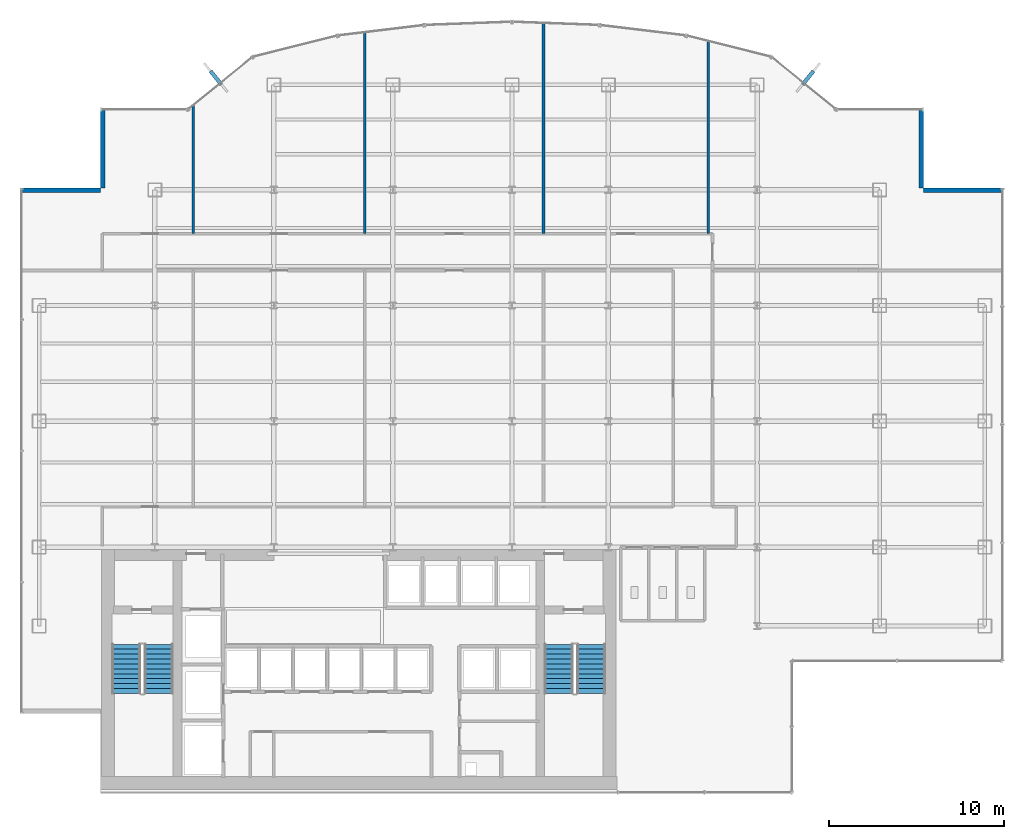
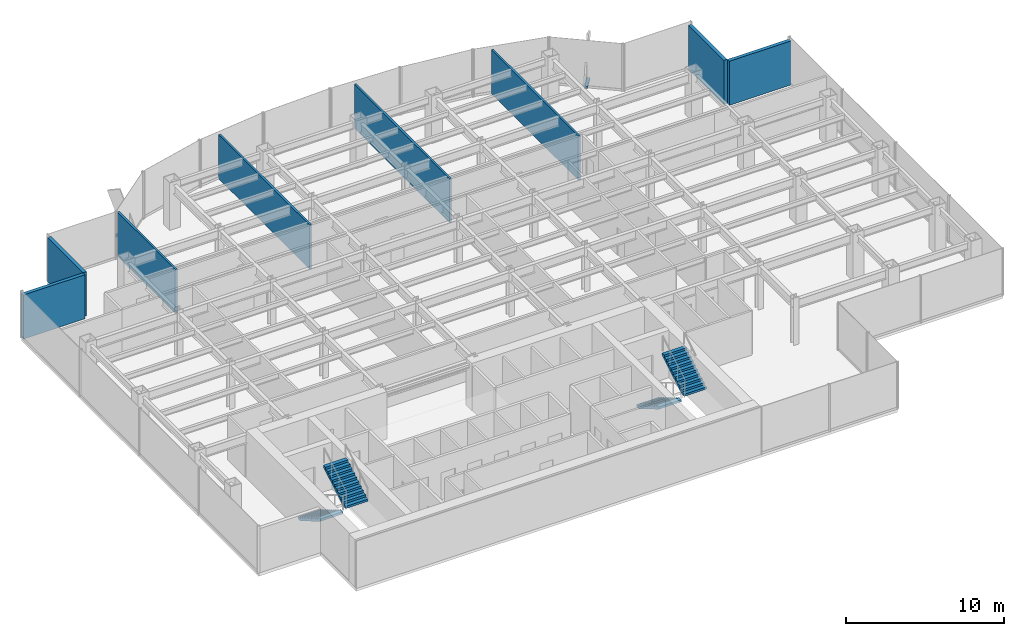
# One storey, part 23 of 26: 8 walls, 4 stair flights, 2 discrete accessories, 2 elements without a shape of their own.
"""IFC4 building model written with IfcOpenShell, lengths in metres."""

import ifcopenshell
import ifcopenshell.guid

model = None  # the IFC model being written
_history = None  # IfcOwnerHistory: only IFC2X3 demands one
_inside = {}  # id of a spatial element -> (the spatial element, [elements in it])
_under = {}  # id of a project, library or spatial element -> (it, [spatial elements below it])
_declared = {}  # id of a project -> (the project, [libraries it declares])
_typed = {}  # id of a type object -> (the type object, [elements of that type])
_made_of = {}  # id of a material, layer set ... -> (it, [elements and type objects made of it])


def new_model(schema):
    """Start an empty IFC model of exactly this schema.

    Asked for "IFC4X3", IfcOpenShell would pick the latest addendum, in which some entities
    have other attributes; the version numbers below select the first issue.
    IFC2X3 requires an IfcOwnerHistory on every rooted entity: one is made here for all.
    """
    global model, _history
    if schema == "IFC4X3":
        model = ifcopenshell.file(schema_version=(4, 3, 0, 0))
    else:
        model = ifcopenshell.file(schema=schema)
    _inside.clear()
    _under.clear()
    _declared.clear()
    _typed.clear()
    _made_of.clear()
    _history = None
    if model.schema == "IFC2X3":
        org = make("IfcOrganization", Name="unknown")
        user = make(
            "IfcPersonAndOrganization",
            ThePerson=make("IfcPerson", FamilyName="unknown"),
            TheOrganization=org,
        )
        app = make(
            "IfcApplication",
            ApplicationDeveloper=org,
            Version="unknown",
            ApplicationFullName="unknown",
            ApplicationIdentifier="unknown",
        )
        _history = make(
            "IfcOwnerHistory",
            OwningUser=user,
            OwningApplication=app,
            ChangeAction="ADDED",
            CreationDate=0,
        )
    return model


def make(cls, **values):
    """One entity of the class cls with the attributes given. An attribute that is None is left unset."""
    return model.create_entity(
        cls, **{name: value for name, value in values.items() if value is not None}
    )


def rooted(cls, **values):
    """An entity with a GlobalId (a new one), such as an element, a storey or a relation."""
    return make(cls, GlobalId=ifcopenshell.guid.new(), OwnerHistory=_history, **values)


def si_unit(unit_type, name, prefix=None):
    """IfcSIUnit, for example si_unit("LENGTHUNIT", "METRE", prefix="MILLI")."""
    return make("IfcSIUnit", UnitType=unit_type, Prefix=prefix, Name=name)


def derived_unit(unit_type, elements):
    """IfcDerivedUnit: a product of units, each with its exponent."""
    return make(
        "IfcDerivedUnit",
        Elements=[
            make("IfcDerivedUnitElement", Unit=unit, Exponent=power)
            for unit, power in elements
        ],
        UnitType=unit_type,
    )


def assignment(units):
    """IfcUnitAssignment: the units of a project."""
    return None if units is None else make("IfcUnitAssignment", Units=units)


def point(xyz):
    """IfcCartesianPoint."""
    return None if xyz is None else make("IfcCartesianPoint", Coordinates=xyz)


def direction(xyz):
    """IfcDirection."""
    return None if xyz is None else make("IfcDirection", DirectionRatios=xyz)


def frame(location, z_axis=None, x_axis=None):
    """IfcAxis2Placement3D, a coordinate frame: its origin and axes. An axis left out is left unset."""
    return make(
        "IfcAxis2Placement3D",
        Location=point(location),
        Axis=direction(z_axis),
        RefDirection=direction(x_axis),
    )


def frame_2d(location, x_axis=None):
    """IfcAxis2Placement2D, a coordinate frame in the plane: its origin and x axis."""
    return make(
        "IfcAxis2Placement2D", Location=point(location), RefDirection=direction(x_axis)
    )


def origin():
    """The frame at (0, 0, 0) with its axes left unset."""
    return frame((0.0, 0.0, 0.0))


def origin_2d():
    """The frame at (0, 0) in the plane with its x axis left unset."""
    return frame_2d((0.0, 0.0))


def place(relative_to, where):
    """IfcLocalPlacement: puts the frame where relative to a parent placement (None: the world)."""
    return make(
        "IfcLocalPlacement", PlacementRelTo=relative_to, RelativePlacement=where
    )


def context(
    kind, dimensions, precision=None, world=None, true_north=None, identifier=None
):
    """IfcGeometricRepresentationContext, for example the 3D "Model" context."""
    return make(
        "IfcGeometricRepresentationContext",
        ContextIdentifier=identifier,
        ContextType=kind,
        CoordinateSpaceDimension=dimensions,
        Precision=precision,
        WorldCoordinateSystem=world,
        TrueNorth=true_north,
    )


def subcontext(parent, identifier, kind, view, scale=None):
    """IfcGeometricRepresentationSubContext, for example "Body" below "Model"."""
    return make(
        "IfcGeometricRepresentationSubContext",
        ContextIdentifier=identifier,
        ContextType=kind,
        ParentContext=parent,
        TargetScale=scale,
        TargetView=view,
    )


def project(units=None, contexts=None):
    """IfcProject with its units and contexts."""
    return rooted(
        "IfcProject",
        Name="project",
        RepresentationContexts=contexts,
        UnitsInContext=assignment(units),
    )


def spatial(cls, under=None, at=None, **own):
    """A site, building, storey or space (cls), placed at a placement, below another one or the project."""
    s = rooted(cls, ObjectPlacement=at, **own)
    if under is not None:
        _under.setdefault(under.id(), (under, []))[1].append(s)
    return s


def polyline(points):
    """IfcPolyline through the points."""
    return make("IfcPolyline", Points=[point(p) for p in points])


def profile(cls, at=None, kind="AREA", **sizes):
    """A parametric profile (cls). Its sizes go by their IFC names, for example OverallWidth=200.0."""
    return make(cls, ProfileType=kind, Position=at, **sizes)


def rectangle(**sizes):
    """IfcRectangleProfileDef."""
    return profile("IfcRectangleProfileDef", **sizes)


def outline(outer, holes=None, kind="AREA"):
    """IfcArbitraryClosedProfileDef: a profile drawn as a closed curve; with holes, ...WithVoids."""
    if holes is None:
        return make("IfcArbitraryClosedProfileDef", ProfileType=kind, OuterCurve=outer)
    return make(
        "IfcArbitraryProfileDefWithVoids",
        ProfileType=kind,
        OuterCurve=outer,
        InnerCurves=holes,
    )


def extrude(swept, where, along, depth):
    """IfcExtrudedAreaSolid: the profile swept, set in the frame where, extruded along a direction by depth."""
    return make(
        "IfcExtrudedAreaSolid",
        SweptArea=swept,
        Position=where,
        ExtrudedDirection=direction(along),
        Depth=depth,
    )


def shape(context_of_items, identifier, shape_type, items):
    """IfcShapeRepresentation: the items that make up one representation, for example the "Body"."""
    return make(
        "IfcShapeRepresentation",
        ContextOfItems=context_of_items,
        RepresentationIdentifier=identifier,
        RepresentationType=shape_type,
        Items=items,
    )


def source(mapping_origin, context_of_items, identifier, shape_type, items):
    """IfcRepresentationMap: a shape defined once, which mapped items show again and again."""
    return make(
        "IfcRepresentationMap",
        MappingOrigin=mapping_origin,
        MappedRepresentation=shape(context_of_items, identifier, shape_type, items),
    )


def transform(
    local_origin,
    x_axis=None,
    y_axis=None,
    z_axis=None,
    scale=None,
    scale2=None,
    scale3=None,
    uniform=True,
):
    """IfcCartesianTransformationOperator3D, or its non-uniform kind. x_axis, y_axis, z_axis: its Axis1, 2, 3."""
    if uniform:
        return make(
            "IfcCartesianTransformationOperator3D",
            Axis1=direction(x_axis),
            Axis2=direction(y_axis),
            LocalOrigin=point(local_origin),
            Scale=scale,
            Axis3=direction(z_axis),
        )
    return make(
        "IfcCartesianTransformationOperator3DnonUniform",
        Axis1=direction(x_axis),
        Axis2=direction(y_axis),
        LocalOrigin=point(local_origin),
        Scale=scale,
        Axis3=direction(z_axis),
        Scale2=scale2,
        Scale3=scale3,
    )


def mapped(mapping_source, mapping_target):
    """IfcMappedItem: shows the shape of a source again, moved by a transform."""
    return make(
        "IfcMappedItem", MappingSource=mapping_source, MappingTarget=mapping_target
    )


def material(Name=None, Category=None):
    """IfcMaterial."""
    return make("IfcMaterial", Name=Name, Category=Category)


def layer(
    of_material, thickness, ventilated=None, Name=None, Category=None, Priority=None
):
    """IfcMaterialLayer: one layer of a wall or slab, of a material (None: an air gap)."""
    return make(
        "IfcMaterialLayer",
        Material=of_material,
        LayerThickness=thickness,
        IsVentilated=ventilated,
        Name=Name,
        Category=Category,
        Priority=Priority,
    )


def layer_set(layers, Name=None):
    """IfcMaterialLayerSet."""
    return make("IfcMaterialLayerSet", MaterialLayers=layers, LayerSetName=Name)


def made_of(thing, what):
    """Note that an element or type object is made of a material, layer set ...; save() writes the relation."""
    if what is not None:
        _made_of.setdefault(what.id(), (what, []))[1].append(thing)
    return thing


def type_object(cls, material=None, **own):
    """A type object (cls), such as IfcWallType, which elements share."""
    return made_of(rooted(cls, **own), material)


def element(
    cls,
    number,
    at=None,
    inside=None,
    cuts=None,
    type_object=None,
    material=None,
    context=None,
    identifier="Body",
    shape_type=None,
    held_by="IfcProductDefinitionShape",
    body=None,
    shapes=None,
    **own,
):
    """One element of the class cls, such as IfcWall. Its Tag is "e" and its number.

    at: its placement. inside: the storey or other place that contains it. cuts: it is an
    opening in that element (IfcRelVoidsElement). A single representation is given by context,
    identifier, shape_type and body (its items); several are given by shapes. held_by: the class
    of the entity that holds the representations. save() writes the other relations.
    """
    e = rooted(cls, Tag="e%d" % number, ObjectPlacement=at, **own)
    if body is not None:
        shapes = [shape(context, identifier, shape_type, body)]
    if shapes is not None:
        e.Representation = make(held_by, Representations=shapes)
    if inside is not None:
        _inside.setdefault(inside.id(), (inside, []))[1].append(e)
    if cuts is not None:
        rooted(
            "IfcRelVoidsElement", RelatingBuildingElement=cuts, RelatedOpeningElement=e
        )
    if type_object is not None:
        _typed.setdefault(type_object.id(), (type_object, []))[1].append(e)
    return made_of(e, material)


def aggregate(whole, parts):
    """IfcRelAggregates: a whole, such as a stair, and the parts it consists of."""
    return rooted("IfcRelAggregates", RelatingObject=whole, RelatedObjects=parts)


def save(model, path):
    """Write the relations noted so far, then the file.

    IfcRelAggregates (storeys below a building ...), IfcRelContainedInSpatialStructure (elements
    in a storey), IfcRelDefinesByType, IfcRelAssociatesMaterial and IfcRelDeclares: one each for
    every whole, place, type object, material and project.
    """
    for whole, parts in _under.values():
        aggregate(whole, parts)
    for where, things in _inside.values():
        rooted(
            "IfcRelContainedInSpatialStructure",
            RelatedElements=things,
            RelatingStructure=where,
        )
    for kind, things in _typed.values():
        rooted("IfcRelDefinesByType", RelatedObjects=things, RelatingType=kind)
    for what, things in _made_of.values():
        rooted("IfcRelAssociatesMaterial", RelatedObjects=things, RelatingMaterial=what)
    for by, libraries in _declared.values():
        rooted("IfcRelDeclares", RelatingContext=by, RelatedDefinitions=libraries)
    model.write(path)


model = new_model("IFC4")

# Units and contexts
model_context = context("Model", 3, precision=1e-05, world=origin(), true_north=direction((0.0, 1.0)))
body_context = subcontext(model_context, "Body", "Model", "MODEL_VIEW")
ifc_project = project(units=[si_unit("LENGTHUNIT", "METRE"), si_unit("AREAUNIT", "SQUARE_METRE"), si_unit("VOLUMEUNIT", "CUBIC_METRE"), si_unit("PLANEANGLEUNIT", "RADIAN"), si_unit("MASSUNIT", "GRAM", prefix="KILO"), derived_unit("THERMALTRANSMITTANCEUNIT", [(si_unit("POWERUNIT", "WATT"), 1), (si_unit("LENGTHUNIT", "METRE"), -2), (si_unit("THERMODYNAMICTEMPERATUREUNIT", "KELVIN"), -1)])], contexts=[model_context])

# Site, building, storey
site_placement = place(None, origin())
site = spatial("IfcSite", under=ifc_project, at=site_placement, CompositionType="ELEMENT")
building_placement = place(site_placement, origin())
building = spatial("IfcBuilding", under=site, at=building_placement, Name="Skarnbrae Concourse Arena and Tower", CompositionType="ELEMENT")
storey_placement = place(building_placement, frame((0.0, 0.0, 103.25)))
storey = spatial("IfcBuildingStorey", under=building, at=storey_placement, Name="L25", CompositionType="ELEMENT", Elevation=103.25)

# Walls
ifc_material_1 = material(Name="Precast concrete 40 MPa (C40/50)", Category="concrete")
ifc_layer_1 = layer(ifc_material_1, 0.25)
ifc_layer_set_1 = layer_set([ifc_layer_1], Name="Precast concrete 40 MPa (C40/50)")
wall_type_1 = type_object("IfcWallType", Name="WALL-EXT-SPANDREL-250", PredefinedType="STANDARD", material=ifc_layer_set_1)
shared_shape_1 = source(origin(), body_context, "Body", "SweptSolid", [
    extrude(rectangle(XDim=4.5, YDim=0.25, at=frame_2d((2.25, 0.0))), origin(), (0.0, 0.0, 1.0), 3.39990234375),
])
for number, where, z_axis, x_axis, name in (
    (1, (56.0, 34.375, 0.0), (0.0, 0.0, 1.0), (-1.0, 0.0, 0.0), "L25 Notched corner insulated return wall 05"),
    (2, (51.375, 34.5, 0.0), (0.0, 0.0, 1.0), (0.0, 1.0, 0.0), "L25 Notched corner insulated return wall 06"),
    (3, (4.625, 39.0, 0.0), (0.0, 0.0, 1.0), (0.0, -1.0, 0.0), "L25 Notched corner insulated return wall 17"),
    (4, (4.5, 34.375, 0.0), (0.0, 0.0, 1.0), (-1.0, 0.0, 0.0), "L25 Notched corner insulated return wall 18"),
):
    element("IfcWall", number, at=place(storey_placement, frame(where, z_axis=z_axis, x_axis=x_axis)), inside=storey, type_object=wall_type_1, Name=name, PredefinedType="STANDARD", context=body_context, shape_type="MappedRepresentation", body=[
        mapped(shared_shape_1, transform((0.0, 0.0, 0.0))),
    ])
ifc_material_2 = material(Name="Gypsum board on cold-formed steel studs", Category="steel")
ifc_layer_2 = layer(ifc_material_2, 0.14990234375)
ifc_layer_set_2 = layer_set([ifc_layer_2], Name="Gypsum board on cold-formed steel studs")
wall_type_2 = type_object("IfcWallType", Name="WALL-PART-150", PredefinedType="PARTITIONING", material=ifc_layer_set_2)
shared_shape_2 = source(origin(), body_context, "Body", "SweptSolid", [
    extrude(rectangle(XDim=7.318115234375, YDim=0.14990234375, at=frame_2d((3.6591796875, 0.0))), origin(), (0.0, 0.0, 1.0), 3.39990234375),
])
wall_1_placement = place(storey_placement, frame((9.800048828125, 39.218017578125, 0.0), z_axis=(0.0, 0.0, 1.0), x_axis=(0.0, -1.0, 0.0)))
element("IfcWall", 5, at=wall_1_placement, inside=storey, type_object=wall_type_2, Name="L25 Interior partition wall W-L25-DEM-14", PredefinedType="PARTITIONING", context=body_context, shape_type="MappedRepresentation", body=[
    mapped(shared_shape_2, transform((0.0, 0.0, 0.0))),
])
shared_shape_3 = source(origin(), body_context, "Body", "SweptSolid", [
    extrude(rectangle(XDim=11.482177734375, YDim=0.14990234375, at=frame_2d((5.7412109375, 0.0))), origin(), (0.0, 0.0, 1.0), 3.39990234375),
])
wall_2_placement = place(storey_placement, frame((19.60009765625, 43.382080078125, 0.0), z_axis=(0.0, 0.0, 1.0), x_axis=(0.0, -1.0, 0.0)))
element("IfcWall", 6, at=wall_2_placement, inside=storey, type_object=wall_type_2, Name="L25 Interior partition wall W-L25-DEM-16", PredefinedType="PARTITIONING", context=body_context, shape_type="MappedRepresentation", body=[
    mapped(shared_shape_3, transform((0.0, 0.0, 0.0))),
])
shared_shape_4 = source(origin(), body_context, "Body", "SweptSolid", [
    extrude(rectangle(XDim=12.01318359375, YDim=0.14990234375, at=frame_2d((6.006591796875, 0.0))), origin(), (0.0, 0.0, 1.0), 3.39990234375),
])
wall_3_placement = place(storey_placement, frame((29.800048828125, 43.9130859375, 0.0), z_axis=(0.0, 0.0, 1.0), x_axis=(0.0, -1.0, 0.0)))
element("IfcWall", 7, at=wall_3_placement, inside=storey, type_object=wall_type_2, Name="L25 Interior partition wall W-L25-DEM-18", PredefinedType="PARTITIONING", context=body_context, shape_type="MappedRepresentation", body=[
    mapped(shared_shape_4, transform((0.0, 0.0, 0.0))),
])
shared_shape_5 = source(origin(), body_context, "Body", "SweptSolid", [
    extrude(rectangle(XDim=10.98193359375, YDim=0.14990234375, at=frame_2d((5.490966796875, 0.0))), origin(), (0.0, 0.0, 1.0), 3.39990234375),
])
wall_4_placement = place(storey_placement, frame((39.199951171875, 42.8818359375, 0.0), z_axis=(0.0, 0.0, 1.0), x_axis=(0.0, -1.0, 0.0)))
element("IfcWall", 8, at=wall_4_placement, inside=storey, type_object=wall_type_2, Name="L25 Interior partition wall W-L25-DEM-19", PredefinedType="PARTITIONING", context=body_context, shape_type="MappedRepresentation", body=[
    mapped(shared_shape_5, transform((0.0, 0.0, 0.0))),
])

# Stair, stair flights
ifc_material_3 = material(Name="Concrete 40 MPa (C40/50)", Category="concrete")
stair_type = type_object("IfcStairType", Name="STAIR-DOGLEG-1650", PredefinedType="HALF_TURN_STAIR", material=ifc_material_3)
stair_1_placement = place(storey_placement, origin())
stair_1 = element("IfcStair", 9, at=stair_1_placement, inside=storey, type_object=stair_type, Name="L25 Protected Exit Stair ST-1", PredefinedType="HALF_TURN_STAIR")
stair_flight_type = type_object("IfcStairFlightType", Name="FLIGHT-STRAIGHT-1650", PredefinedType="STRAIGHT", material=ifc_material_3)
shared_shape_6 = source(origin(), body_context, "Body", "SweptSolid", [
    extrude(outline(polyline([(0.0, 0.0), (0.0, 0.166015625), (0.280029296875, 0.166015625), (0.280029296875, 0.331787109375), (0.56005859375, 0.331787109375), (0.56005859375, 0.497802734375), (0.840087890625, 0.497802734375), (0.840087890625, 0.66357421875), (1.1201171875, 0.66357421875), (1.1201171875, 0.82958984375), (1.39990234375, 0.82958984375), (1.39990234375, 0.995361328125), (1.679931640625, 0.995361328125), (1.679931640625, 1.161376953125), (1.9599609375, 1.161376953125), (1.9599609375, 1.327392578125), (2.239990234375, 1.327392578125), (2.239990234375, 1.4931640625), (2.52001953125, 1.4931640625), (2.52001953125, 1.6591796875), (2.800048828125, 1.6591796875), (2.800048828125, 1.824951171875), (2.800048828125, 1.48486328125), (0.2939453125, 0.0), (0.0, 0.0)])), frame((0.0, 0.824951171875, 0.0), z_axis=(0.0, -1.0, 0.0), x_axis=(1.0, 0.0, 0.0)), (0.0, 0.0, 1.0), 1.64990234375),
])
stair_flight_1_placement = place(storey_placement, frame((5.97509765625, 8.449951171875, 0.0), z_axis=(0.0, 0.0, 1.0), x_axis=(0.0, -1.0, 0.0)))
stair_flight_1 = element("IfcStairFlight", 10, at=stair_flight_1_placement, type_object=stair_flight_type, Name="ST-1 flight 1", NumberOfRisers=11, NumberOfTreads=10, PredefinedType="STRAIGHT", RiserHeight=0.165909091, TreadLength=0.28, context=body_context, shape_type="MappedRepresentation", body=[
    mapped(shared_shape_6, transform((0.0, 0.0, 0.0))),
])
stair_flight_2_placement = place(storey_placement, frame((7.824951171875, 5.64990234375, 1.824951171875), z_axis=(0.0, 0.0, 1.0), x_axis=(0.0, 1.0, 0.0)))
stair_flight_2 = element("IfcStairFlight", 11, at=stair_flight_2_placement, type_object=stair_flight_type, Name="ST-1 flight 2", NumberOfRisers=11, NumberOfTreads=10, PredefinedType="STRAIGHT", RiserHeight=0.165909091, TreadLength=0.28, context=body_context, shape_type="MappedRepresentation", body=[
    mapped(shared_shape_6, transform((0.0, 0.0, 0.0))),
])
aggregate(stair_1, [stair_flight_1, stair_flight_2])

stair_2_placement = place(storey_placement, origin())
stair_2 = element("IfcStair", 12, at=stair_2_placement, inside=storey, type_object=stair_type, Name="L25 Protected Exit Stair ST-2", PredefinedType="HALF_TURN_STAIR")
stair_flight_3_placement = place(storey_placement, frame((30.675048828125, 8.449951171875, 0.0), z_axis=(0.0, 0.0, 1.0), x_axis=(0.0, -1.0, 0.0)))
stair_flight_3 = element("IfcStairFlight", 13, at=stair_flight_3_placement, type_object=stair_flight_type, Name="ST-2 flight 1", NumberOfRisers=11, NumberOfTreads=10, PredefinedType="STRAIGHT", RiserHeight=0.165909091, TreadLength=0.28, context=body_context, shape_type="MappedRepresentation", body=[
    mapped(shared_shape_6, transform((0.0, 0.0, 0.0))),
])
stair_flight_4_placement = place(storey_placement, frame((32.52490234375, 5.64990234375, 1.824951171875), z_axis=(0.0, 0.0, 1.0), x_axis=(0.0, 1.0, 0.0)))
stair_flight_4 = element("IfcStairFlight", 14, at=stair_flight_4_placement, type_object=stair_flight_type, Name="ST-2 flight 2", NumberOfRisers=11, NumberOfTreads=10, PredefinedType="STRAIGHT", RiserHeight=0.165909091, TreadLength=0.28, context=body_context, shape_type="MappedRepresentation", body=[
    mapped(shared_shape_6, transform((0.0, 0.0, 0.0))),
])
aggregate(stair_2, [stair_flight_3, stair_flight_4])

# Discrete accessories
ifc_material_4 = material(Name="Bronze anodised aluminium 6063-T6", Category="aluminium")
discrete_accessory_type = type_object("IfcDiscreteAccessoryType", Name="ACC-FIN-BRACKET", PredefinedType="BRACKET", material=ifc_material_4)
shared_shape_7 = source(origin(), body_context, "Body", "SweptSolid", [
    extrude(rectangle(XDim=0.219970703125, YDim=0.97998046875, at=origin_2d()), origin(), (0.0, 0.0, 1.0), 0.179931640625),
])
for number, where, z_axis, x_axis, name in (
    (15, (44.90771484375, 40.80859375, -0.02978515625), (0.0, 0.0, 1.0), (0.776244501415, -0.630431974144, 0.0), "L25 Bronze fin foot support bracket 08"),
    (16, (11.09228515625, 40.80859375, -0.02978515625), (0.0, 0.0, 1.0), (0.776244501415, 0.630431974144, 0.0), "L25 Bronze fin foot support bracket 15"),
):
    element("IfcDiscreteAccessory", number, at=place(storey_placement, frame(where, z_axis=z_axis, x_axis=x_axis)), inside=storey, type_object=discrete_accessory_type, Name=name, PredefinedType="BRACKET", context=body_context, shape_type="MappedRepresentation", body=[
        mapped(shared_shape_7, transform((0.0, 0.0, 0.0))),
    ])

save(model, "model.ifc")
